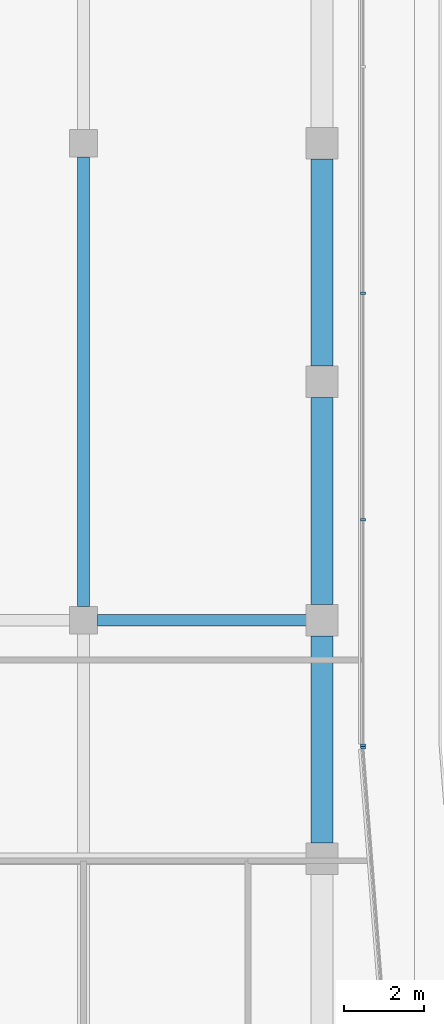
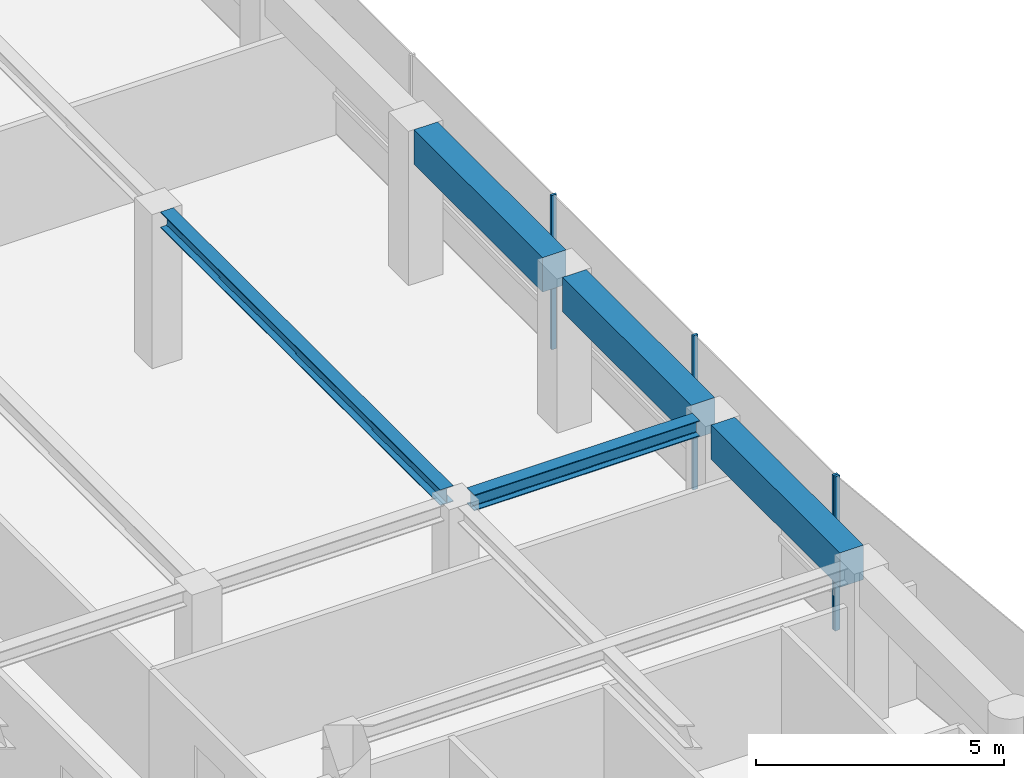
# One storey, part 8 of 23: 5 beams, 4 members, 2 elements without a shape of their own.
"""IFC4 building model written with IfcOpenShell, lengths in metres."""

from ifc_helpers import new_model, si_unit, direction, frame, origin, origin_2d, place, context, subcontext, project, spatial, rectangle, i_section, extrude, material, layer, layer_set, material_profile, profile_set, type_object, element, aggregate, save


model = new_model("IFC4")

# Units and contexts
model_context = context("Model", 3, precision=1e-05, world=origin(), true_north=direction((0.0, 1.0)))
body_context = subcontext(model_context, "Body", "Model", "MODEL_VIEW")
ifc_project = project(units=[si_unit("LENGTHUNIT", "METRE"), si_unit("AREAUNIT", "SQUARE_METRE"), si_unit("VOLUMEUNIT", "CUBIC_METRE"), si_unit("PLANEANGLEUNIT", "RADIAN"), si_unit("MASSUNIT", "GRAM", prefix="KILO")], contexts=[model_context])

# Site, building, storey
site_placement = place(None, origin())
site = spatial("IfcSite", under=ifc_project, at=site_placement, CompositionType="ELEMENT")
building_placement = place(site_placement, origin())
building = spatial("IfcBuilding", under=site, at=building_placement, Name="Welwitschia Terrace Campus", CompositionType="ELEMENT")
storey_placement = place(building_placement, frame((0.0, 0.0, 209.60009765625)))
storey = spatial("IfcBuildingStorey", under=building, at=storey_placement, Name="L46", CompositionType="ELEMENT", Elevation=209.60009765625)

# Beams
ifc_material_1 = material(Name="Steel S355", Category="steel")
ifc_material_profile_1 = material_profile(ifc_material_1, i_section(OverallWidth=0.300048828125, OverallDepth=0.389892578125, WebThickness=0.010986328125, FlangeThickness=0.01904296875, FilletRadius=0.027099609375, at=origin_2d()))
ifc_profile_set_1 = profile_set([ifc_material_profile_1], Name="Steel S355")
beam_type_1 = type_object("IfcBeamType", Name="Interior girder HE 400 A", PredefinedType="BEAM", material=ifc_profile_set_1)
beam_1_placement = place(storey_placement, frame((18.3505859375, 40.0, 3.60498046875), z_axis=(1.0, 0.0, 0.0), x_axis=(0.0, 1.0, 0.0)))
element("IfcBeam", 1, at=beam_1_placement, inside=storey, type_object=beam_type_1, Name="Girder GB5", PredefinedType="BEAM", context=body_context, shape_type="SweptSolid", body=[
    extrude(i_section(OverallWidth=0.300048828125, OverallDepth=0.389892578125, WebThickness=0.010986328125, FlangeThickness=0.01904296875, FilletRadius=0.027099609375, at=origin_2d()), origin(), (0.0, 0.0, 1.0), 5.259033203125),
])
beam_2_placement = place(storey_placement, frame((18.0, 40.3505859375, 3.60498046875), z_axis=(0.0, 1.0, 0.0), x_axis=(-1.0, 0.0, 0.0)))
element("IfcBeam", 2, at=beam_2_placement, inside=storey, type_object=beam_type_1, Name="Girder GB5", PredefinedType="BEAM", context=body_context, shape_type="SweptSolid", body=[
    extrude(i_section(OverallWidth=0.300048828125, OverallDepth=0.389892578125, WebThickness=0.010986328125, FlangeThickness=0.01904296875, FilletRadius=0.027099609375, at=origin_2d()), origin(), (0.0, 0.0, 1.0), 11.298828125),
])

# Curtain wall, member
ifc_material_2 = material(Name="Bronze anodised aluminium", Category="aluminium")
ifc_layer = layer(ifc_material_2, 0.1201171875)
ifc_layer_set = layer_set([ifc_layer], Name="Bronze anodised aluminium")
curtain_wall_type = type_object("IfcCurtainWallType", Name="Curtain wall CW2 tower 6000", PredefinedType="NOTDEFINED", material=ifc_layer_set)
curtain_wall_1_placement = place(storey_placement, origin())
curtain_wall_1 = element("IfcCurtainWall", 3, at=curtain_wall_1_placement, inside=storey, type_object=curtain_wall_type, Name="CW L46.6.0", PredefinedType="NOTDEFINED")
ifc_material_3 = material(Name="Bronze anodised aluminium", Category="aluminium")
ifc_material_profile_2 = material_profile(ifc_material_3, rectangle(XDim=0.1201171875, YDim=0.06005859375, at=origin_2d()))
ifc_profile_set_2 = profile_set([ifc_material_profile_2], Name="Bronze anodised aluminium")
member_type = type_object("IfcMemberType", Name="Mullion 60x120", PredefinedType="MULLION", material=ifc_profile_set_2)
member_1_placement = place(storey_placement, frame((25.032470703125, 36.792724609375, 0.0), z_axis=(0.0, 0.0, 1.0), x_axis=(-0.996917333733, -0.078459095728, 0.0)))
member_1 = element("IfcMember", 4, at=member_1_placement, type_object=member_type, Name="Mullion L46.6.0.1", PredefinedType="MULLION", context=body_context, shape_type="SweptSolid", body=[
    extrude(rectangle(XDim=0.1201171875, YDim=0.06005859375, at=origin_2d()), origin(), (0.0, 0.0, 1.0), 3.7998046875),
])
aggregate(curtain_wall_1, [member_1])

# Curtain wall, members
curtain_wall_2_placement = place(storey_placement, origin())
curtain_wall_2 = element("IfcCurtainWall", 5, at=curtain_wall_2_placement, inside=storey, type_object=curtain_wall_type, Name="CW L46.7.0", PredefinedType="NOTDEFINED")
member_2_placement = place(storey_placement, frame((25.030029296875, 36.8525390625, 0.0), z_axis=(0.0, 0.0, 1.0), x_axis=(-1.0, 0.0, 0.0)))
member_2 = element("IfcMember", 6, at=member_2_placement, type_object=member_type, Name="Mullion L46.7.0.0", PredefinedType="MULLION", context=body_context, shape_type="SweptSolid", body=[
    extrude(rectangle(XDim=0.1201171875, YDim=0.06005859375, at=origin_2d()), origin(), (0.0, 0.0, 1.0), 3.7998046875),
])
member_3_placement = place(storey_placement, frame((25.030029296875, 42.523681640625, 0.0), z_axis=(0.0, 0.0, 1.0), x_axis=(-1.0, 0.0, 0.0)))
member_3 = element("IfcMember", 7, at=member_3_placement, type_object=member_type, Name="Mullion L46.7.0.1", PredefinedType="MULLION", context=body_context, shape_type="SweptSolid", body=[
    extrude(rectangle(XDim=0.1201171875, YDim=0.06005859375, at=origin_2d()), origin(), (0.0, 0.0, 1.0), 3.7998046875),
])
member_4_placement = place(storey_placement, frame((25.030029296875, 48.22509765625, 0.0), z_axis=(0.0, 0.0, 1.0), x_axis=(-1.0, 0.0, 0.0)))
member_4 = element("IfcMember", 8, at=member_4_placement, type_object=member_type, Name="Mullion L46.7.0.2", PredefinedType="MULLION", context=body_context, shape_type="SweptSolid", body=[
    extrude(rectangle(XDim=0.1201171875, YDim=0.06005859375, at=origin_2d()), origin(), (0.0, 0.0, 1.0), 3.7998046875),
])
aggregate(curtain_wall_2, [member_2, member_3, member_4])

# Beams
ifc_material_4 = material(Name="Concrete C50/60", Category="concrete")
ifc_material_profile_3 = material_profile(ifc_material_4, rectangle(XDim=0.550048828125, YDim=0.85009765625, at=origin_2d()))
ifc_profile_set_3 = profile_set([ifc_material_profile_3], Name="Concrete C50/60")
beam_type_2 = type_object("IfcBeamType", Name="Ring spandrel 550x850", PredefinedType="SPANDREL", material=ifc_profile_set_3)
for number, where, z_axis, x_axis, name in (
    (9, (24.0, 34.400390625, 3.375), (0.0, 1.0, 0.0), (-1.0, 0.0, 0.0), "Spandrel SP3"),
    (10, (24.0, 40.400390625, 3.375), (0.0, 1.0, 0.0), (-1.0, 0.0, 0.0), "Spandrel SP3"),
    (11, (24.0, 46.400390625, 3.375), (0.0, 1.0, 0.0), (-1.0, 0.0, 0.0), "Spandrel SP3"),
):
    element("IfcBeam", number, at=place(storey_placement, frame(where, z_axis=z_axis, x_axis=x_axis)), inside=storey, type_object=beam_type_2, Name=name, PredefinedType="SPANDREL", context=body_context, shape_type="SweptSolid", body=[
        extrude(rectangle(XDim=0.550048828125, YDim=0.85009765625, at=origin_2d()), origin(), (0.0, 0.0, 1.0), 5.19921875),
    ])

save(model, "model.ifc")
